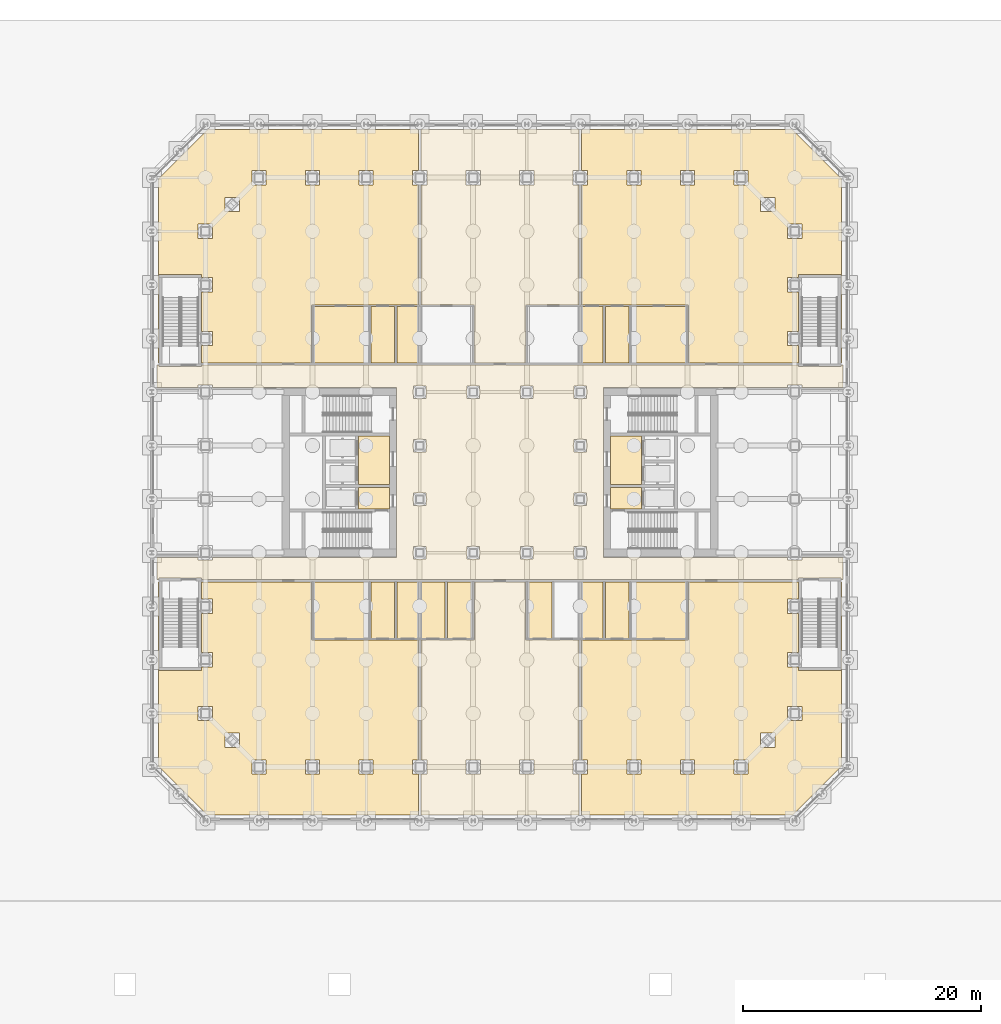
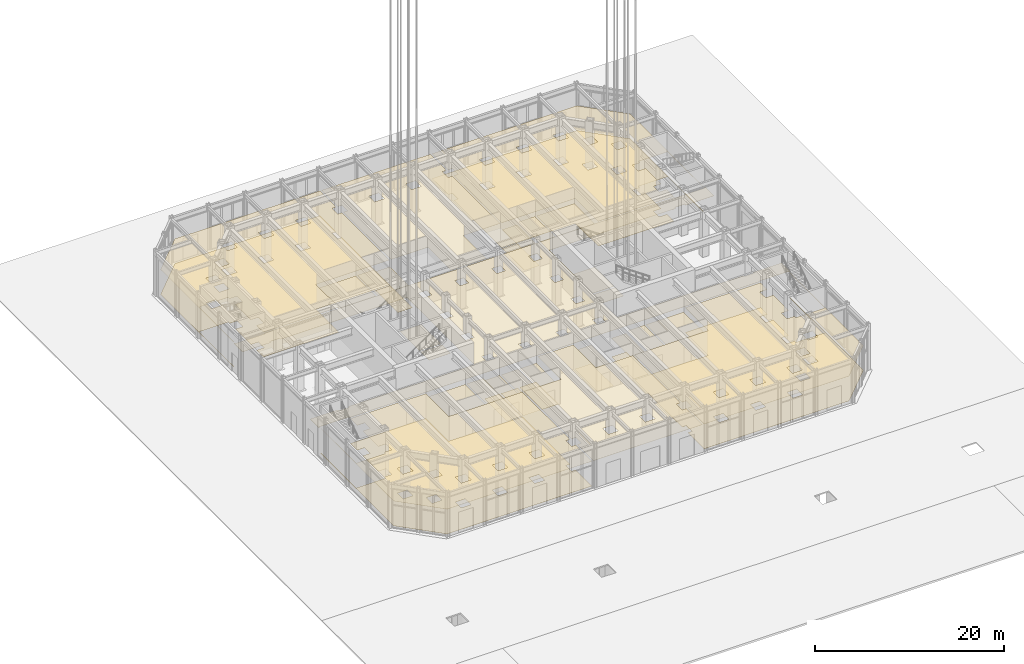
# One storey, part 37 of 39: 5 coverings.
"""IFC4 building model written with IfcOpenShell, lengths in metres."""

from ifc_helpers import new_model, si_unit, direction, frame, origin, place, context, subcontext, project, spatial, line, indexed_curve, outline, extrude, material, layer, layer_set, type_object, element, save


model = new_model("IFC4")

# Units and contexts
model_context = context("Model", 3, precision=1e-05, world=origin(), true_north=direction((0.0, 1.0)))
body_context = subcontext(model_context, "Body", "Model", "MODEL_VIEW")
ifc_project = project(units=[si_unit("LENGTHUNIT", "METRE"), si_unit("AREAUNIT", "SQUARE_METRE"), si_unit("VOLUMEUNIT", "CUBIC_METRE"), si_unit("PLANEANGLEUNIT", "RADIAN"), si_unit("MASSUNIT", "GRAM", prefix="KILO")], contexts=[model_context])

# Site, building, storey
site_placement = place(None, origin())
site = spatial("IfcSite", under=ifc_project, at=site_placement, CompositionType="ELEMENT")
building_placement = place(site_placement, origin())
building = spatial("IfcBuilding", under=site, at=building_placement, Name="Msasa Ring Tower", CompositionType="ELEMENT")
storey_placement = place(building_placement, origin())
storey = spatial("IfcBuildingStorey", under=building, at=storey_placement, Name="L00", CompositionType="ELEMENT", Elevation=0.0)

# Coverings
ifc_material_1 = material(Name="Gypsum plasterboard on a steel suspension grid", Category="steel")
ifc_layer_1 = layer(ifc_material_1, 0.014892578125)
ifc_layer_set_1 = layer_set([ifc_layer_1], Name="C1 SUSPENDED PLASTERBOARD CEILING 15")
covering_type_1 = type_object("IfcCoveringType", Name="C1 SUSPENDED PLASTERBOARD CEILING 15", PredefinedType="CEILING", material=ifc_layer_set_1)
covering_1_placement = place(storey_placement, frame((0.0, 0.0, 2.39990234375)))
element("IfcCovering", 1, at=covering_1_placement, inside=storey, type_object=covering_type_1, Name="Suspended Plasterboard Ceiling 15 circulation L00", PredefinedType="CEILING", context=body_context, shape_type="SweptSolid", body=[
    extrude(outline(indexed_curve([(-9.300537109375, -3.074462890625), (-11.87451171875, -3.074462890625), (-11.87451171875, -1.275390625), (-9.300537109375, -1.275390625)], segments=[line(1, 2, 3, 4, 1)], self_intersect=False)), origin(), (0.0, 0.0, 1.0), 0.01513671875),
    extrude(outline(indexed_curve([(-9.300537109375, -1.0244140625), (-11.87451171875, -1.0244140625), (-11.87451171875, 3.074462890625), (-9.300537109375, 3.074462890625)], segments=[line(1, 2, 3, 4, 1)], self_intersect=False)), origin(), (0.0, 0.0, 1.0), 0.01513671875),
    extrude(outline(indexed_curve([(11.87451171875, -3.074462890625), (9.300537109375, -3.074462890625), (9.300537109375, -1.275390625), (11.87451171875, -1.275390625)], segments=[line(1, 2, 3, 4, 1)], self_intersect=False)), origin(), (0.0, 0.0, 1.0), 0.01513671875),
    extrude(outline(indexed_curve([(11.87451171875, -1.0244140625), (9.300537109375, -1.0244140625), (9.300537109375, 3.074462890625), (11.87451171875, 3.074462890625)], segments=[line(1, 2, 3, 4, 1)], self_intersect=False)), origin(), (0.0, 0.0, 1.0), 0.01513671875),
])
covering_2_placement = place(storey_placement, frame((0.0, 0.0, 3.199951171875)))
element("IfcCovering", 2, at=covering_2_placement, inside=storey, type_object=covering_type_1, Name="Suspended Plasterboard Ceiling 15 public rooms L00", PredefinedType="CEILING", context=body_context, shape_type="SweptSolid", body=[
    extrude(outline(indexed_curve([(-8.699462890625, 7.150390625), (-24.1494140625, 7.150390625), (-24.1494140625, 7.3505859375), (-25.3505859375, 7.3505859375), (-25.3505859375, 7.150390625), (-28.799560546875, 7.150390625), (-28.799560546875, 8.99951171875), (-28.625, 8.99951171875), (-28.625, 8.87451171875), (-25.074951171875, 8.87451171875), (-25.074951171875, 8.99951171875), (25.074951171875, 8.99951171875), (25.074951171875, 8.87451171875), (28.625, 8.87451171875), (28.625, 8.99951171875), (28.799560546875, 8.99951171875), (28.799560546875, 7.150390625), (25.3505859375, 7.150390625), (25.3505859375, 7.3505859375), (24.1494140625, 7.3505859375), (24.1494140625, 7.150390625), (8.699462890625, 7.150390625), (8.699462890625, -7.150390625), (24.1494140625, -7.150390625), (24.1494140625, -7.3505859375), (25.3505859375, -7.3505859375), (25.3505859375, -7.150390625), (28.799560546875, -7.150390625), (28.799560546875, -8.99951171875), (28.625, -8.99951171875), (28.625, -8.87451171875), (25.074951171875, -8.87451171875), (25.074951171875, -8.99951171875), (-25.074951171875, -8.99951171875), (-25.074951171875, -8.87451171875), (-28.625, -8.87451171875), (-28.625, -8.99951171875), (-28.799560546875, -8.99951171875), (-28.799560546875, -7.150390625), (-25.3505859375, -7.150390625), (-25.3505859375, -7.3505859375), (-24.1494140625, -7.3505859375), (-24.1494140625, -7.150390625), (-8.699462890625, -7.150390625)], segments=[line(1, 2, 3, 4, 5, 6, 7, 8, 9, 10, 11, 12, 13, 14, 15, 16, 17, 18, 19, 20, 21, 22, 23, 24, 25, 26, 27, 28, 29, 30, 31, 32, 33, 34, 35, 36, 37, 38, 39, 40, 41, 42, 43, 44, 1)], self_intersect=False), holes=[indexed_curve([(-7.275390625, -7.275390625), (-6.224609375, -7.275390625), (-6.224609375, -6.224609375), (-7.275390625, -6.224609375)], segments=[line(1, 2, 3, 4, 1)], self_intersect=False), indexed_curve([(-7.275390625, -2.775390625), (-6.224609375, -2.775390625), (-6.224609375, -1.724609375), (-7.275390625, -1.724609375)], segments=[line(1, 2, 3, 4, 1)], self_intersect=False), indexed_curve([(-2.775390625, -7.275390625), (-1.724609375, -7.275390625), (-1.724609375, -6.224609375), (-2.775390625, -6.224609375)], segments=[line(1, 2, 3, 4, 1)], self_intersect=False), indexed_curve([(6.224609375, -7.275390625), (7.275390625, -7.275390625), (7.275390625, -6.224609375), (6.224609375, -6.224609375)], segments=[line(1, 2, 3, 4, 1)], self_intersect=False), indexed_curve([(1.724609375, -7.275390625), (2.775390625, -7.275390625), (2.775390625, -6.224609375), (1.724609375, -6.224609375)], segments=[line(1, 2, 3, 4, 1)], self_intersect=False), indexed_curve([(6.224609375, -1.724609375), (6.224609375, -2.775390625), (7.275390625, -2.775390625), (7.275390625, -1.724609375)], segments=[line(1, 2, 3, 4, 1)], self_intersect=False), indexed_curve([(-7.275390625, 2.775390625), (-7.275390625, 1.724609375), (-6.224609375, 1.724609375), (-6.224609375, 2.775390625)], segments=[line(1, 2, 3, 4, 1)], self_intersect=False), indexed_curve([(6.224609375, 1.724609375), (7.275390625, 1.724609375), (7.275390625, 2.775390625), (6.224609375, 2.775390625)], segments=[line(1, 2, 3, 4, 1)], self_intersect=False), indexed_curve([(-7.275390625, 6.224609375), (-6.224609375, 6.224609375), (-6.224609375, 7.275390625), (-7.275390625, 7.275390625)], segments=[line(1, 2, 3, 4, 1)], self_intersect=False), indexed_curve([(6.224609375, 6.224609375), (7.275390625, 6.224609375), (7.275390625, 7.275390625), (6.224609375, 7.275390625)], segments=[line(1, 2, 3, 4, 1)], self_intersect=False), indexed_curve([(1.724609375, 6.224609375), (2.775390625, 6.224609375), (2.775390625, 7.275390625), (1.724609375, 7.275390625)], segments=[line(1, 2, 3, 4, 1)], self_intersect=False), indexed_curve([(-2.775390625, 6.224609375), (-1.724609375, 6.224609375), (-1.724609375, 7.275390625), (-2.775390625, 7.275390625)], segments=[line(1, 2, 3, 4, 1)], self_intersect=False)]), origin(), (0.0, 0.0, 1.0), 0.01513671875),
    extrude(outline(indexed_curve([(-25.069580078125, -16.630615234375), (-25.069580078125, -16.3505859375), (-24.1494140625, -16.3505859375), (-24.1494140625, -15.1494140625), (-25.069580078125, -15.1494140625), (-25.069580078125, -11.8505859375), (-24.1494140625, -11.8505859375), (-24.1494140625, -10.6494140625), (-25.069580078125, -10.6494140625), (-25.069580078125, -9.200439453125), (-15.8505859375, -9.200439453125), (-15.8505859375, -14.060546875), (-6.8505859375, -14.060546875), (-6.8505859375, -24.1494140625), (-7.3505859375, -24.1494140625), (-7.3505859375, -25.3505859375), (-6.8505859375, -25.3505859375), (-6.8505859375, -28.799560546875), (-24.5634765625, -28.799560546875), (-28.699462890625, -24.663330078125), (-28.699462890625, -9.200439453125), (-28.630615234375, -9.200439453125), (-28.630615234375, -16.630615234375)], segments=[line(1, 2, 3, 4, 5, 6, 7, 8, 9, 10, 11, 12, 13, 14, 15, 16, 17, 18, 19, 20, 21, 22, 23, 1)], self_intersect=False), holes=[indexed_curve([(-11.8505859375, -25.3505859375), (-10.6494140625, -25.3505859375), (-10.6494140625, -24.1494140625), (-11.8505859375, -24.1494140625)], segments=[line(1, 2, 3, 4, 1)], self_intersect=False), indexed_curve([(-16.3505859375, -25.3505859375), (-15.1494140625, -25.3505859375), (-15.1494140625, -24.1494140625), (-16.3505859375, -24.1494140625)], segments=[line(1, 2, 3, 4, 1)], self_intersect=False), indexed_curve([(-20.8505859375, -25.3505859375), (-19.6494140625, -25.3505859375), (-19.6494140625, -24.1494140625), (-20.8505859375, -24.1494140625)], segments=[line(1, 2, 3, 4, 1)], self_intersect=False), indexed_curve([(-23.1005859375, -23.1005859375), (-21.8994140625, -23.1005859375), (-21.8994140625, -21.8994140625), (-23.1005859375, -21.8994140625)], segments=[line(1, 2, 3, 4, 1)], self_intersect=False), indexed_curve([(-25.3505859375, -20.8505859375), (-24.1494140625, -20.8505859375), (-24.1494140625, -19.6494140625), (-25.3505859375, -19.6494140625)], segments=[line(1, 2, 3, 4, 1)], self_intersect=False)]), origin(), (0.0, 0.0, 1.0), 0.01513671875),
    extrude(outline(indexed_curve([(-25.069580078125, 10.6494140625), (-24.1494140625, 10.6494140625), (-24.1494140625, 11.8505859375), (-25.069580078125, 11.8505859375), (-25.069580078125, 15.1494140625), (-24.1494140625, 15.1494140625), (-24.1494140625, 16.3505859375), (-25.069580078125, 16.3505859375), (-25.069580078125, 16.630615234375), (-28.630615234375, 16.630615234375), (-28.630615234375, 9.200439453125), (-28.699462890625, 9.200439453125), (-28.699462890625, 24.663330078125), (-24.5634765625, 28.799560546875), (-6.8505859375, 28.799560546875), (-6.8505859375, 25.3505859375), (-7.3505859375, 25.3505859375), (-7.3505859375, 24.1494140625), (-6.8505859375, 24.1494140625), (-6.8505859375, 14.060546875), (-15.8505859375, 14.060546875), (-15.8505859375, 9.200439453125), (-25.069580078125, 9.200439453125)], segments=[line(1, 2, 3, 4, 5, 6, 7, 8, 9, 10, 11, 12, 13, 14, 15, 16, 17, 18, 19, 20, 21, 22, 23, 1)], self_intersect=False), holes=[indexed_curve([(-25.3505859375, 19.6494140625), (-24.1494140625, 19.6494140625), (-24.1494140625, 20.8505859375), (-25.3505859375, 20.8505859375)], segments=[line(1, 2, 3, 4, 1)], self_intersect=False), indexed_curve([(-23.1005859375, 21.8994140625), (-21.8994140625, 21.8994140625), (-21.8994140625, 23.1005859375), (-23.1005859375, 23.1005859375)], segments=[line(1, 2, 3, 4, 1)], self_intersect=False), indexed_curve([(-20.8505859375, 24.1494140625), (-19.6494140625, 24.1494140625), (-19.6494140625, 25.3505859375), (-20.8505859375, 25.3505859375)], segments=[line(1, 2, 3, 4, 1)], self_intersect=False), indexed_curve([(-16.3505859375, 24.1494140625), (-15.1494140625, 24.1494140625), (-15.1494140625, 25.3505859375), (-16.3505859375, 25.3505859375)], segments=[line(1, 2, 3, 4, 1)], self_intersect=False), indexed_curve([(-11.8505859375, 24.1494140625), (-10.6494140625, 24.1494140625), (-10.6494140625, 25.3505859375), (-11.8505859375, 25.3505859375)], segments=[line(1, 2, 3, 4, 1)], self_intersect=False)]), origin(), (0.0, 0.0, 1.0), 0.01513671875),
    extrude(outline(indexed_curve([(-6.6494140625, -28.799560546875), (-6.6494140625, -25.3505859375), (-6.1494140625, -25.3505859375), (-6.1494140625, -24.1494140625), (-6.6494140625, -24.1494140625), (-6.6494140625, -14.060546875), (-2.1494140625, -14.060546875), (-2.1494140625, -9.200439453125), (2.1494140625, -9.200439453125), (2.1494140625, -14.060546875), (6.6494140625, -14.060546875), (6.6494140625, -24.1494140625), (6.1494140625, -24.1494140625), (6.1494140625, -25.3505859375), (6.6494140625, -25.3505859375), (6.6494140625, -28.799560546875)], segments=[line(1, 2, 3, 4, 5, 6, 7, 8, 9, 10, 11, 12, 13, 14, 15, 16, 1)], self_intersect=False), holes=[indexed_curve([(-2.8505859375, -25.3505859375), (-1.6494140625, -25.3505859375), (-1.6494140625, -24.1494140625), (-2.8505859375, -24.1494140625)], segments=[line(1, 2, 3, 4, 1)], self_intersect=False), indexed_curve([(1.6494140625, -25.3505859375), (2.8505859375, -25.3505859375), (2.8505859375, -24.1494140625), (1.6494140625, -24.1494140625)], segments=[line(1, 2, 3, 4, 1)], self_intersect=False)]), origin(), (0.0, 0.0, 1.0), 0.01513671875),
    extrude(outline(indexed_curve([(-2.1494140625, 14.060546875), (-6.6494140625, 14.060546875), (-6.6494140625, 24.1494140625), (-6.1494140625, 24.1494140625), (-6.1494140625, 25.3505859375), (-6.6494140625, 25.3505859375), (-6.6494140625, 28.799560546875), (6.6494140625, 28.799560546875), (6.6494140625, 25.3505859375), (6.1494140625, 25.3505859375), (6.1494140625, 24.1494140625), (6.6494140625, 24.1494140625), (6.6494140625, 14.060546875), (2.1494140625, 14.060546875), (2.1494140625, 9.200439453125), (-2.1494140625, 9.200439453125)], segments=[line(1, 2, 3, 4, 5, 6, 7, 8, 9, 10, 11, 12, 13, 14, 15, 16, 1)], self_intersect=False), holes=[indexed_curve([(1.6494140625, 24.1494140625), (2.8505859375, 24.1494140625), (2.8505859375, 25.3505859375), (1.6494140625, 25.3505859375)], segments=[line(1, 2, 3, 4, 1)], self_intersect=False), indexed_curve([(-2.8505859375, 24.1494140625), (-1.6494140625, 24.1494140625), (-1.6494140625, 25.3505859375), (-2.8505859375, 25.3505859375)], segments=[line(1, 2, 3, 4, 1)], self_intersect=False)]), origin(), (0.0, 0.0, 1.0), 0.01513671875),
    extrude(outline(indexed_curve([(25.069580078125, -10.6494140625), (24.1494140625, -10.6494140625), (24.1494140625, -11.8505859375), (25.069580078125, -11.8505859375), (25.069580078125, -15.1494140625), (24.1494140625, -15.1494140625), (24.1494140625, -16.3505859375), (25.069580078125, -16.3505859375), (25.069580078125, -16.630615234375), (28.630615234375, -16.630615234375), (28.630615234375, -9.200439453125), (28.699462890625, -9.200439453125), (28.699462890625, -24.663330078125), (24.5634765625, -28.799560546875), (6.8505859375, -28.799560546875), (6.8505859375, -25.3505859375), (7.3505859375, -25.3505859375), (7.3505859375, -24.1494140625), (6.8505859375, -24.1494140625), (6.8505859375, -14.060546875), (15.8505859375, -14.060546875), (15.8505859375, -9.200439453125), (25.069580078125, -9.200439453125)], segments=[line(1, 2, 3, 4, 5, 6, 7, 8, 9, 10, 11, 12, 13, 14, 15, 16, 17, 18, 19, 20, 21, 22, 23, 1)], self_intersect=False), holes=[indexed_curve([(10.6494140625, -25.3505859375), (11.8505859375, -25.3505859375), (11.8505859375, -24.1494140625), (10.6494140625, -24.1494140625)], segments=[line(1, 2, 3, 4, 1)], self_intersect=False), indexed_curve([(15.1494140625, -25.3505859375), (16.3505859375, -25.3505859375), (16.3505859375, -24.1494140625), (15.1494140625, -24.1494140625)], segments=[line(1, 2, 3, 4, 1)], self_intersect=False), indexed_curve([(19.6494140625, -25.3505859375), (20.8505859375, -25.3505859375), (20.8505859375, -24.1494140625), (19.6494140625, -24.1494140625)], segments=[line(1, 2, 3, 4, 1)], self_intersect=False), indexed_curve([(21.8994140625, -23.1005859375), (23.1005859375, -23.1005859375), (23.1005859375, -21.8994140625), (21.8994140625, -21.8994140625)], segments=[line(1, 2, 3, 4, 1)], self_intersect=False), indexed_curve([(24.1494140625, -20.8505859375), (25.3505859375, -20.8505859375), (25.3505859375, -19.6494140625), (24.1494140625, -19.6494140625)], segments=[line(1, 2, 3, 4, 1)], self_intersect=False)]), origin(), (0.0, 0.0, 1.0), 0.01513671875),
    extrude(outline(indexed_curve([(25.069580078125, 16.3505859375), (24.1494140625, 16.3505859375), (24.1494140625, 15.1494140625), (25.069580078125, 15.1494140625), (25.069580078125, 11.8505859375), (24.1494140625, 11.8505859375), (24.1494140625, 10.6494140625), (25.069580078125, 10.6494140625), (25.069580078125, 9.200439453125), (15.8505859375, 9.200439453125), (15.8505859375, 14.060546875), (6.8505859375, 14.060546875), (6.8505859375, 24.1494140625), (7.3505859375, 24.1494140625), (7.3505859375, 25.3505859375), (6.8505859375, 25.3505859375), (6.8505859375, 28.799560546875), (24.5634765625, 28.799560546875), (28.699462890625, 24.663330078125), (28.699462890625, 9.200439453125), (28.630615234375, 9.200439453125), (28.630615234375, 16.630615234375), (25.069580078125, 16.630615234375)], segments=[line(1, 2, 3, 4, 5, 6, 7, 8, 9, 10, 11, 12, 13, 14, 15, 16, 17, 18, 19, 20, 21, 22, 23, 1)], self_intersect=False), holes=[indexed_curve([(24.1494140625, 19.6494140625), (25.3505859375, 19.6494140625), (25.3505859375, 20.8505859375), (24.1494140625, 20.8505859375)], segments=[line(1, 2, 3, 4, 1)], self_intersect=False), indexed_curve([(21.8994140625, 21.8994140625), (23.1005859375, 21.8994140625), (23.1005859375, 23.1005859375), (21.8994140625, 23.1005859375)], segments=[line(1, 2, 3, 4, 1)], self_intersect=False), indexed_curve([(19.6494140625, 24.1494140625), (20.8505859375, 24.1494140625), (20.8505859375, 25.3505859375), (19.6494140625, 25.3505859375)], segments=[line(1, 2, 3, 4, 1)], self_intersect=False), indexed_curve([(15.1494140625, 24.1494140625), (16.3505859375, 24.1494140625), (16.3505859375, 25.3505859375), (15.1494140625, 25.3505859375)], segments=[line(1, 2, 3, 4, 1)], self_intersect=False), indexed_curve([(10.6494140625, 25.3505859375), (10.6494140625, 24.1494140625), (11.8505859375, 24.1494140625), (11.8505859375, 25.3505859375)], segments=[line(1, 2, 3, 4, 1)], self_intersect=False)]), origin(), (0.0, 0.0, 1.0), 0.01513671875),
])
covering_3_placement = place(storey_placement, frame((0.0, 0.0, 2.699951171875)))
element("IfcCovering", 3, at=covering_3_placement, inside=storey, type_object=covering_type_1, Name="Suspended Plasterboard Ceiling 15 L00", PredefinedType="CEILING", context=body_context, shape_type="SweptSolid", body=[
    extrude(outline(indexed_curve([(-15.6494140625, -13.939453125), (-15.6494140625, -9.200439453125), (-11.050537109375, -9.200439453125), (-11.050537109375, -13.939453125)], segments=[line(1, 2, 3, 4, 1)], self_intersect=False)), origin(), (0.0, 0.0, 1.0), 0.01513671875),
    extrude(outline(indexed_curve([(-15.6494140625, 9.200439453125), (-15.6494140625, 13.939453125), (-11.050537109375, 13.939453125), (-11.050537109375, 9.200439453125)], segments=[line(1, 2, 3, 4, 1)], self_intersect=False)), origin(), (0.0, 0.0, 1.0), 0.01513671875),
    extrude(outline(indexed_curve([(-10.849609375, -13.939453125), (-10.849609375, -9.200439453125), (-8.8505859375, -9.200439453125), (-8.8505859375, -13.939453125)], segments=[line(1, 2, 3, 4, 1)], self_intersect=False)), origin(), (0.0, 0.0, 1.0), 0.01513671875),
    extrude(outline(indexed_curve([(-10.849609375, 9.200439453125), (-10.849609375, 13.939453125), (-8.8505859375, 13.939453125), (-8.8505859375, 9.200439453125)], segments=[line(1, 2, 3, 4, 1)], self_intersect=False)), origin(), (0.0, 0.0, 1.0), 0.01513671875),
    extrude(outline(indexed_curve([(8.8505859375, -13.939453125), (8.8505859375, -9.200439453125), (10.849609375, -9.200439453125), (10.849609375, -13.939453125)], segments=[line(1, 2, 3, 4, 1)], self_intersect=False)), origin(), (0.0, 0.0, 1.0), 0.01513671875),
    extrude(outline(indexed_curve([(8.8505859375, 9.200439453125), (8.8505859375, 13.939453125), (10.849609375, 13.939453125), (10.849609375, 9.200439453125)], segments=[line(1, 2, 3, 4, 1)], self_intersect=False)), origin(), (0.0, 0.0, 1.0), 0.01513671875),
    extrude(outline(indexed_curve([(11.050537109375, -13.939453125), (11.050537109375, -9.200439453125), (15.6494140625, -9.200439453125), (15.6494140625, -13.939453125)], segments=[line(1, 2, 3, 4, 1)], self_intersect=False)), origin(), (0.0, 0.0, 1.0), 0.01513671875),
    extrude(outline(indexed_curve([(11.050537109375, 9.200439453125), (11.050537109375, 13.939453125), (15.6494140625, 13.939453125), (15.6494140625, 9.200439453125)], segments=[line(1, 2, 3, 4, 1)], self_intersect=False)), origin(), (0.0, 0.0, 1.0), 0.01513671875),
])
ifc_material_2 = material(Name="Moisture-resistant gypsum plasterboard on a steel suspension grid", Category="steel")
ifc_layer_2 = layer(ifc_material_2, 0.014892578125)
ifc_layer_set_2 = layer_set([ifc_layer_2], Name="C2 MOISTURE-RESISTANT PLASTERBOARD CEILING 15")
covering_type_2 = type_object("IfcCoveringType", Name="C2 MOISTURE-RESISTANT PLASTERBOARD CEILING 15", PredefinedType="CEILING", material=ifc_layer_set_2)
covering_4_placement = place(storey_placement, frame((0.0, 0.0, 2.39990234375)))
element("IfcCovering", 4, at=covering_4_placement, inside=storey, type_object=covering_type_2, Name="Moisture-Resistant Plasterboard Ceiling 15 L00", PredefinedType="CEILING", context=body_context, shape_type="SweptSolid", body=[
    extrude(outline(indexed_curve([(-8.6494140625, -13.939453125), (-8.6494140625, -9.200439453125), (-6.8505859375, -9.200439453125), (-6.8505859375, -13.939453125)], segments=[line(1, 2, 3, 4, 1)], self_intersect=False)), origin(), (0.0, 0.0, 1.0), 0.01513671875),
    extrude(outline(indexed_curve([(-8.6494140625, 9.200439453125), (-8.6494140625, 13.939453125), (-6.8505859375, 13.939453125), (-6.8505859375, 9.200439453125)], segments=[line(1, 2, 3, 4, 1)], self_intersect=False)), origin(), (0.0, 0.0, 1.0), 0.01513671875),
    extrude(outline(indexed_curve([(-6.6494140625, -13.939453125), (-6.6494140625, -9.200439453125), (-4.6005859375, -9.200439453125), (-4.6005859375, -13.939453125)], segments=[line(1, 2, 3, 4, 1)], self_intersect=False)), origin(), (0.0, 0.0, 1.0), 0.01513671875),
    extrude(outline(indexed_curve([(-4.3994140625, -13.939453125), (-4.3994140625, -9.200439453125), (-2.3505859375, -9.200439453125), (-2.3505859375, -13.939453125)], segments=[line(1, 2, 3, 4, 1)], self_intersect=False)), origin(), (0.0, 0.0, 1.0), 0.01513671875),
    extrude(outline(indexed_curve([(2.3505859375, -13.939453125), (2.3505859375, -9.200439453125), (4.349609375, -9.200439453125), (4.349609375, -13.939453125)], segments=[line(1, 2, 3, 4, 1)], self_intersect=False)), origin(), (0.0, 0.0, 1.0), 0.01513671875),
    extrude(outline(indexed_curve([(6.8505859375, -13.939453125), (6.8505859375, -9.200439453125), (8.6494140625, -9.200439453125), (8.6494140625, -13.939453125)], segments=[line(1, 2, 3, 4, 1)], self_intersect=False)), origin(), (0.0, 0.0, 1.0), 0.01513671875),
    extrude(outline(indexed_curve([(6.8505859375, 9.200439453125), (6.8505859375, 13.939453125), (8.6494140625, 13.939453125), (8.6494140625, 9.200439453125)], segments=[line(1, 2, 3, 4, 1)], self_intersect=False)), origin(), (0.0, 0.0, 1.0), 0.01513671875),
])
ifc_material_3 = material(Name="Porcelain floor tiles in adhesive", Category="ceramic")
ifc_layer_3 = layer(ifc_material_3, 0.010009765625)
ifc_layer_set_3 = layer_set([ifc_layer_3], Name="F4 PORCELAIN TILE ON ADHESIVE 10")
covering_type_3 = type_object("IfcCoveringType", Name="F4 PORCELAIN TILE ON ADHESIVE 10", PredefinedType="FLOORING", material=ifc_layer_set_3)
covering_5_placement = place(storey_placement, origin())
element("IfcCovering", 5, at=covering_5_placement, inside=storey, type_object=covering_type_3, Name="Porcelain Tile On Adhesive 10 L00", PredefinedType="FLOORING", context=body_context, shape_type="SweptSolid", body=[
    extrude(outline(indexed_curve([(-15.8505859375, -9.200439453125), (-15.8505859375, -14.060546875), (-6.8505859375, -14.060546875), (-6.8505859375, -24.1494140625), (-7.3505859375, -24.1494140625), (-7.3505859375, -25.3505859375), (-6.8505859375, -25.3505859375), (-6.8505859375, -28.799560546875), (-24.5634765625, -28.799560546875), (-28.699462890625, -24.663330078125), (-28.699462890625, -9.200439453125), (-28.630615234375, -9.200439453125), (-28.630615234375, -16.630615234375), (-25.069580078125, -16.630615234375), (-25.069580078125, -16.3505859375), (-24.1494140625, -16.3505859375), (-24.1494140625, -15.1494140625), (-25.069580078125, -15.1494140625), (-25.069580078125, -11.8505859375), (-24.1494140625, -11.8505859375), (-24.1494140625, -10.6494140625), (-25.069580078125, -10.6494140625), (-25.069580078125, -9.200439453125)], segments=[line(1, 2, 3, 4, 5, 6, 7, 8, 9, 10, 11, 12, 13, 14, 15, 16, 17, 18, 19, 20, 21, 22, 23, 1)], self_intersect=False), holes=[indexed_curve([(-10.6494140625, -25.3505859375), (-10.6494140625, -24.1494140625), (-11.8505859375, -24.1494140625), (-11.8505859375, -25.3505859375)], segments=[line(1, 2, 3, 4, 1)], self_intersect=False), indexed_curve([(-15.1494140625, -25.3505859375), (-15.1494140625, -24.1494140625), (-16.3505859375, -24.1494140625), (-16.3505859375, -25.3505859375)], segments=[line(1, 2, 3, 4, 1)], self_intersect=False), indexed_curve([(-19.6494140625, -25.3505859375), (-19.6494140625, -24.1494140625), (-20.8505859375, -24.1494140625), (-20.8505859375, -25.3505859375)], segments=[line(1, 2, 3, 4, 1)], self_intersect=False), indexed_curve([(-21.8994140625, -23.1005859375), (-21.8994140625, -21.8994140625), (-23.1005859375, -21.8994140625), (-23.1005859375, -23.1005859375)], segments=[line(1, 2, 3, 4, 1)], self_intersect=False), indexed_curve([(-24.1494140625, -20.8505859375), (-24.1494140625, -19.6494140625), (-25.3505859375, -19.6494140625), (-25.3505859375, -20.8505859375)], segments=[line(1, 2, 3, 4, 1)], self_intersect=False)]), origin(), (0.0, 0.0, 1.0), 0.010009765625),
    extrude(outline(indexed_curve([(-28.630615234375, 16.630615234375), (-28.630615234375, 9.200439453125), (-28.699462890625, 9.200439453125), (-28.699462890625, 24.663330078125), (-24.5634765625, 28.799560546875), (-6.8505859375, 28.799560546875), (-6.8505859375, 25.3505859375), (-7.3505859375, 25.3505859375), (-7.3505859375, 24.1494140625), (-6.8505859375, 24.1494140625), (-6.8505859375, 14.060546875), (-15.8505859375, 14.060546875), (-15.8505859375, 9.200439453125), (-25.069580078125, 9.200439453125), (-25.069580078125, 10.6494140625), (-24.1494140625, 10.6494140625), (-24.1494140625, 11.8505859375), (-25.069580078125, 11.8505859375), (-25.069580078125, 15.1494140625), (-24.1494140625, 15.1494140625), (-24.1494140625, 16.3505859375), (-25.069580078125, 16.3505859375), (-25.069580078125, 16.630615234375)], segments=[line(1, 2, 3, 4, 5, 6, 7, 8, 9, 10, 11, 12, 13, 14, 15, 16, 17, 18, 19, 20, 21, 22, 23, 1)], self_intersect=False), holes=[indexed_curve([(-25.3505859375, 19.6494140625), (-24.1494140625, 19.6494140625), (-24.1494140625, 20.8505859375), (-25.3505859375, 20.8505859375)], segments=[line(1, 2, 3, 4, 1)], self_intersect=False), indexed_curve([(-21.8994140625, 21.8994140625), (-21.8994140625, 23.1005859375), (-23.1005859375, 23.1005859375), (-23.1005859375, 21.8994140625)], segments=[line(1, 2, 3, 4, 1)], self_intersect=False), indexed_curve([(-19.6494140625, 24.1494140625), (-19.6494140625, 25.3505859375), (-20.8505859375, 25.3505859375), (-20.8505859375, 24.1494140625)], segments=[line(1, 2, 3, 4, 1)], self_intersect=False), indexed_curve([(-15.1494140625, 24.1494140625), (-15.1494140625, 25.3505859375), (-16.3505859375, 25.3505859375), (-16.3505859375, 24.1494140625)], segments=[line(1, 2, 3, 4, 1)], self_intersect=False), indexed_curve([(-11.8505859375, 24.1494140625), (-10.6494140625, 24.1494140625), (-10.6494140625, 25.3505859375), (-11.8505859375, 25.3505859375)], segments=[line(1, 2, 3, 4, 1)], self_intersect=False)]), origin(), (0.0, 0.0, 1.0), 0.010009765625),
    extrude(outline(indexed_curve([(-8.6494140625, -9.200439453125), (-6.8505859375, -9.200439453125), (-6.8505859375, -13.939453125), (-8.6494140625, -13.939453125)], segments=[line(1, 2, 3, 4, 1)], self_intersect=False)), origin(), (0.0, 0.0, 1.0), 0.010009765625),
    extrude(outline(indexed_curve([(-6.8505859375, 13.939453125), (-6.8505859375, 9.200439453125), (-8.6494140625, 9.200439453125), (-8.6494140625, 13.939453125)], segments=[line(1, 2, 3, 4, 1)], self_intersect=False)), origin(), (0.0, 0.0, 1.0), 0.010009765625),
    extrude(outline(indexed_curve([(-4.6005859375, -9.200439453125), (-4.6005859375, -13.939453125), (-6.6494140625, -13.939453125), (-6.6494140625, -9.200439453125)], segments=[line(1, 2, 3, 4, 1)], self_intersect=False)), origin(), (0.0, 0.0, 1.0), 0.010009765625),
    extrude(outline(indexed_curve([(-2.3505859375, -9.200439453125), (-2.3505859375, -13.939453125), (-4.3994140625, -13.939453125), (-4.3994140625, -9.200439453125)], segments=[line(1, 2, 3, 4, 1)], self_intersect=False)), origin(), (0.0, 0.0, 1.0), 0.010009765625),
    extrude(outline(indexed_curve([(4.349609375, -9.200439453125), (4.349609375, -13.939453125), (2.3505859375, -13.939453125), (2.3505859375, -9.200439453125)], segments=[line(1, 2, 3, 4, 1)], self_intersect=False)), origin(), (0.0, 0.0, 1.0), 0.010009765625),
    extrude(outline(indexed_curve([(28.630615234375, -9.200439453125), (28.699462890625, -9.200439453125), (28.699462890625, -24.663330078125), (24.5634765625, -28.799560546875), (6.8505859375, -28.799560546875), (6.8505859375, -25.3505859375), (7.3505859375, -25.3505859375), (7.3505859375, -24.1494140625), (6.8505859375, -24.1494140625), (6.8505859375, -14.060546875), (15.8505859375, -14.060546875), (15.8505859375, -9.200439453125), (25.069580078125, -9.200439453125), (25.069580078125, -10.6494140625), (24.1494140625, -10.6494140625), (24.1494140625, -11.8505859375), (25.069580078125, -11.8505859375), (25.069580078125, -15.1494140625), (24.1494140625, -15.1494140625), (24.1494140625, -16.3505859375), (25.069580078125, -16.3505859375), (25.069580078125, -16.630615234375), (28.630615234375, -16.630615234375)], segments=[line(1, 2, 3, 4, 5, 6, 7, 8, 9, 10, 11, 12, 13, 14, 15, 16, 17, 18, 19, 20, 21, 22, 23, 1)], self_intersect=False), holes=[indexed_curve([(20.8505859375, -25.3505859375), (20.8505859375, -24.1494140625), (19.6494140625, -24.1494140625), (19.6494140625, -25.3505859375)], segments=[line(1, 2, 3, 4, 1)], self_intersect=False), indexed_curve([(16.3505859375, -25.3505859375), (16.3505859375, -24.1494140625), (15.1494140625, -24.1494140625), (15.1494140625, -25.3505859375)], segments=[line(1, 2, 3, 4, 1)], self_intersect=False), indexed_curve([(11.8505859375, -25.3505859375), (11.8505859375, -24.1494140625), (10.6494140625, -24.1494140625), (10.6494140625, -25.3505859375)], segments=[line(1, 2, 3, 4, 1)], self_intersect=False), indexed_curve([(23.1005859375, -23.1005859375), (23.1005859375, -21.8994140625), (21.8994140625, -21.8994140625), (21.8994140625, -23.1005859375)], segments=[line(1, 2, 3, 4, 1)], self_intersect=False), indexed_curve([(25.3505859375, -20.8505859375), (25.3505859375, -19.6494140625), (24.1494140625, -19.6494140625), (24.1494140625, -20.8505859375)], segments=[line(1, 2, 3, 4, 1)], self_intersect=False)]), origin(), (0.0, 0.0, 1.0), 0.010009765625),
    extrude(outline(indexed_curve([(8.6494140625, -9.200439453125), (8.6494140625, -13.939453125), (6.8505859375, -13.939453125), (6.8505859375, -9.200439453125)], segments=[line(1, 2, 3, 4, 1)], self_intersect=False)), origin(), (0.0, 0.0, 1.0), 0.010009765625),
    extrude(outline(indexed_curve([(15.8505859375, 14.060546875), (6.8505859375, 14.060546875), (6.8505859375, 24.1494140625), (7.3505859375, 24.1494140625), (7.3505859375, 25.3505859375), (6.8505859375, 25.3505859375), (6.8505859375, 28.799560546875), (24.5634765625, 28.799560546875), (28.699462890625, 24.663330078125), (28.699462890625, 9.200439453125), (28.630615234375, 9.200439453125), (28.630615234375, 16.630615234375), (25.069580078125, 16.630615234375), (25.069580078125, 16.3505859375), (24.1494140625, 16.3505859375), (24.1494140625, 15.1494140625), (25.069580078125, 15.1494140625), (25.069580078125, 11.8505859375), (24.1494140625, 11.8505859375), (24.1494140625, 10.6494140625), (25.069580078125, 10.6494140625), (25.069580078125, 9.200439453125), (15.8505859375, 9.200439453125)], segments=[line(1, 2, 3, 4, 5, 6, 7, 8, 9, 10, 11, 12, 13, 14, 15, 16, 17, 18, 19, 20, 21, 22, 23, 1)], self_intersect=False), holes=[indexed_curve([(24.1494140625, 19.6494140625), (25.3505859375, 19.6494140625), (25.3505859375, 20.8505859375), (24.1494140625, 20.8505859375)], segments=[line(1, 2, 3, 4, 1)], self_intersect=False), indexed_curve([(23.1005859375, 21.8994140625), (23.1005859375, 23.1005859375), (21.8994140625, 23.1005859375), (21.8994140625, 21.8994140625)], segments=[line(1, 2, 3, 4, 1)], self_intersect=False), indexed_curve([(16.3505859375, 24.1494140625), (16.3505859375, 25.3505859375), (15.1494140625, 25.3505859375), (15.1494140625, 24.1494140625)], segments=[line(1, 2, 3, 4, 1)], self_intersect=False), indexed_curve([(11.8505859375, 24.1494140625), (11.8505859375, 25.3505859375), (10.6494140625, 25.3505859375), (10.6494140625, 24.1494140625)], segments=[line(1, 2, 3, 4, 1)], self_intersect=False), indexed_curve([(19.6494140625, 24.1494140625), (20.8505859375, 24.1494140625), (20.8505859375, 25.3505859375), (19.6494140625, 25.3505859375)], segments=[line(1, 2, 3, 4, 1)], self_intersect=False)]), origin(), (0.0, 0.0, 1.0), 0.010009765625),
    extrude(outline(indexed_curve([(8.6494140625, 13.939453125), (8.6494140625, 9.200439453125), (6.8505859375, 9.200439453125), (6.8505859375, 13.939453125)], segments=[line(1, 2, 3, 4, 1)], self_intersect=False)), origin(), (0.0, 0.0, 1.0), 0.010009765625),
])

save(model, "model.ifc")
